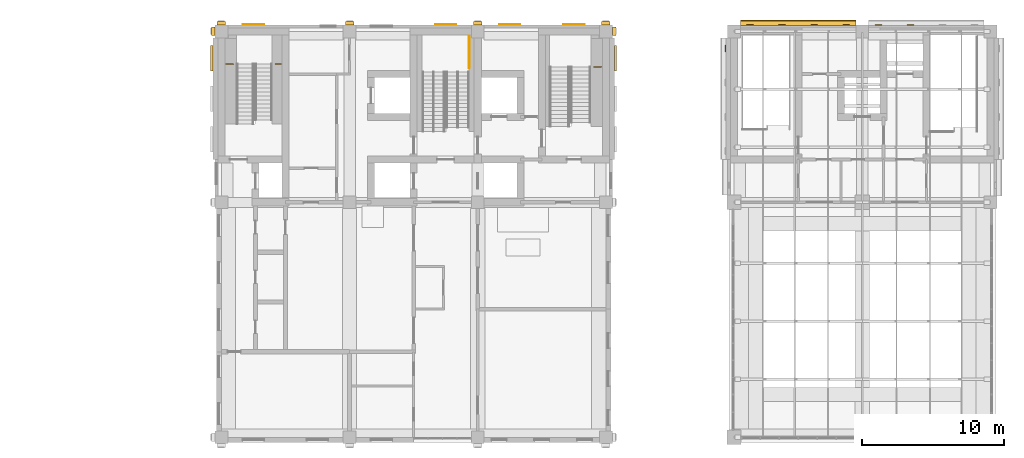
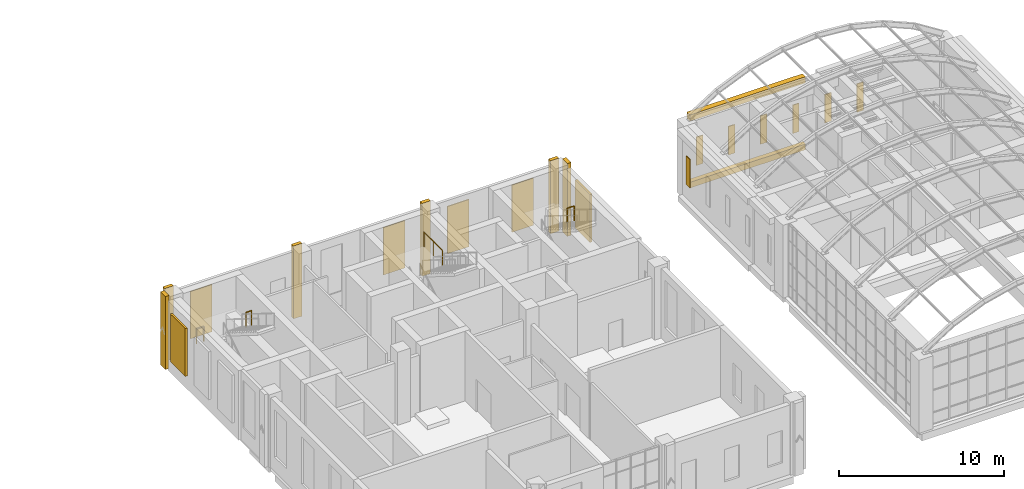
# One storey, part 36 of 39: 21 coverings, 4 railings.
"""IFC4 building model written with IfcOpenShell, lengths in metres."""

from ifc_helpers import new_model, si_unit, direction, frame, origin, origin_2d, place, context, subcontext, project, spatial, rectangle, circle, extrude, material, layer, layer_set, type_object, element, save


model = new_model("IFC4")

# Units and contexts
model_context = context("Model", 3, precision=1e-05, world=origin(), true_north=direction((0.0, 1.0)))
body_context = subcontext(model_context, "Body", "Model", "MODEL_VIEW")
ifc_project = project(units=[si_unit("LENGTHUNIT", "METRE"), si_unit("AREAUNIT", "SQUARE_METRE"), si_unit("VOLUMEUNIT", "CUBIC_METRE"), si_unit("PLANEANGLEUNIT", "RADIAN"), si_unit("MASSUNIT", "GRAM", prefix="KILO")], contexts=[model_context])

# Site, building, storey
site_placement = place(None, origin())
site = spatial("IfcSite", under=ifc_project, at=site_placement, CompositionType="ELEMENT")
building_placement = place(site_placement, origin())
building = spatial("IfcBuilding", under=site, at=building_placement, Name="Aurelan Courthouse", CompositionType="ELEMENT")
storey_placement = place(building_placement, frame((0.0, 0.0, 28.199951171875)))
storey = spatial("IfcBuildingStorey", under=building, at=storey_placement, Name="L05", CompositionType="ELEMENT", Elevation=28.199951171875)

# Coverings
ifc_material_1 = material(Name="Bronze sheet cladding")
ifc_layer_1 = layer(ifc_material_1, 0.06005859375)
ifc_layer_set_1 = layer_set([ifc_layer_1], Name="Bronze sheet cladding")
covering_type_1 = type_object("IfcCoveringType", Name="Courtroom Block blind bay 1500 x 3500", PredefinedType="CLADDING", material=ifc_layer_set_1)
for number, where, z_axis, x_axis, name in (
    (1, (38.25, 66.47998046875, 1.050048828125), (0.0, 0.0, 1.0), (1.0, 0.0, 0.0), "Blind bay BB-V2-L05-001"),
    (2, (51.75, 66.47998046875, 1.050048828125), (0.0, 0.0, 1.0), (1.0, 0.0, 0.0), "Blind bay BB-V2-L05-002"),
    (3, (56.25, 66.47998046875, 1.050048828125), (0.0, 0.0, 1.0), (1.0, 0.0, 0.0), "Blind bay BB-V2-L05-003"),
    (4, (60.75, 66.47998046875, 1.050048828125), (0.0, 0.0, 1.0), (1.0, 0.0, 0.0), "Blind bay BB-V2-L05-004"),
):
    element("IfcCovering", number, at=place(storey_placement, frame(where, z_axis=z_axis, x_axis=x_axis)), inside=storey, type_object=covering_type_1, Name=name, PredefinedType="CLADDING", context=body_context, shape_type="SweptSolid", body=[
        extrude(rectangle(XDim=1.5, YDim=0.06005859375, at=origin_2d()), origin(), (0.0, 0.0, 1.0), 3.5),
    ])
ifc_material_2 = material(Name="Limestone cladding", Category="masonry")
covering_type_2 = type_object("IfcCoveringType", Name="Courtroom Block pilaster fin 600 x 250", PredefinedType="CLADDING", material=ifc_material_2)
for number, where, z_axis, x_axis, name in (
    (5, (36.0, 66.574951171875, 0.0), (0.0, 0.0, 1.0), (1.0, 0.0, 0.0), "Pilaster fin FN-V2-044"),
    (6, (45.0, 66.574951171875, 0.0), (0.0, 0.0, 1.0), (1.0, 0.0, 0.0), "Pilaster fin FN-V2-045"),
    (7, (54.0, 66.574951171875, 0.0), (0.0, 0.0, 1.0), (1.0, 0.0, 0.0), "Pilaster fin FN-V2-046"),
    (8, (63.0, 66.574951171875, 0.0), (0.0, 0.0, 1.0), (1.0, 0.0, 0.0), "Pilaster fin FN-V2-047"),
):
    element("IfcCovering", number, at=place(storey_placement, frame(where, z_axis=z_axis, x_axis=x_axis)), inside=storey, type_object=covering_type_2, Name=name, PredefinedType="CLADDING", context=body_context, shape_type="SweptSolid", body=[
        extrude(rectangle(XDim=0.60009765625, YDim=0.25, at=origin_2d()), origin(), (0.0, 0.0, 1.0), 5.39990234375),
    ])
for number, where, z_axis, x_axis, name in (
    (9, (63.574951171875, 66.0, 0.0), (0.0, 0.0, 1.0), (1.0, 0.0, 0.0), "Pilaster fin FN-V2-050"),
    (10, (35.425048828125, 66.0, 0.0), (0.0, 0.0, 1.0), (1.0, 0.0, 0.0), "Pilaster fin FN-V2-053"),
):
    element("IfcCovering", number, at=place(storey_placement, frame(where, z_axis=z_axis, x_axis=x_axis)), inside=storey, type_object=covering_type_2, Name=name, PredefinedType="CLADDING", context=body_context, shape_type="SweptSolid", body=[
        extrude(rectangle(XDim=0.25, YDim=0.60009765625, at=origin_2d()), origin(), (0.0, 0.0, 1.0), 5.39990234375),
    ])
ifc_layer_2 = layer(ifc_material_1, 0.06005859375)
ifc_layer_set_2 = layer_set([ifc_layer_2], Name="Bronze sheet cladding")
covering_type_3 = type_object("IfcCoveringType", Name="Law Library blind bay 450 x 2100", PredefinedType="CLADDING", material=ifc_layer_set_2)
for number, where, z_axis, x_axis, name in (
    (11, (73.125, 66.449951171875, 1.5), (0.0, 0.0, 1.0), (1.0, 0.0, 0.0), "Blind bay BB-V3-L05-001"),
    (12, (75.375, 66.449951171875, 1.5), (0.0, 0.0, 1.0), (1.0, 0.0, 0.0), "Blind bay BB-V3-L05-002"),
    (13, (77.625, 66.449951171875, 1.5), (0.0, 0.0, 1.0), (1.0, 0.0, 0.0), "Blind bay BB-V3-L05-003"),
    (14, (79.875, 66.449951171875, 1.5), (0.0, 0.0, 1.0), (1.0, 0.0, 0.0), "Blind bay BB-V3-L05-004"),
    (15, (82.125, 66.449951171875, 1.5), (0.0, 0.0, 1.0), (1.0, 0.0, 0.0), "Blind bay BB-V3-L05-005"),
    (16, (84.375, 66.449951171875, 1.5), (0.0, 0.0, 1.0), (1.0, 0.0, 0.0), "Blind bay BB-V3-L05-006"),
):
    element("IfcCovering", number, at=place(storey_placement, frame(where, z_axis=z_axis, x_axis=x_axis)), inside=storey, type_object=covering_type_3, Name=name, PredefinedType="CLADDING", context=body_context, shape_type="SweptSolid", body=[
        extrude(rectangle(XDim=0.449951171875, YDim=0.06005859375, at=origin_2d()), origin(), (0.0, 0.0, 1.0), 2.10009765625),
    ])
covering_1_placement = place(storey_placement, frame((71.39990234375, 64.800048828125, 1.5), z_axis=(0.0, 0.0, 1.0), x_axis=(1.0, 0.0, 0.0)))
element("IfcCovering", 17, at=covering_1_placement, inside=storey, type_object=covering_type_3, Name="Blind bay BB-V3-L05-016", PredefinedType="CLADDING", context=body_context, shape_type="SweptSolid", body=[
    extrude(rectangle(XDim=0.06005859375, YDim=0.449951171875, at=origin_2d()), origin(), (0.0, 0.0, 1.0), 2.10009765625),
])
covering_type_4 = type_object("IfcCoveringType", Name="Law Library cornice 450 x 380", PredefinedType="CLADDING", material=ifc_material_2)
covering_2_placement = place(storey_placement, frame((76.5, 66.610107421875, 4.9501953125), z_axis=(0.0, 0.0, 1.0), x_axis=(1.0, 0.0, 0.0)))
element("IfcCovering", 18, at=covering_2_placement, inside=storey, type_object=covering_type_4, Name="Cornice CRN-V3-005", PredefinedType="CLADDING", context=body_context, shape_type="SweptSolid", body=[
    extrude(rectangle(XDim=8.10009765625, YDim=0.3798828125, at=origin_2d()), origin(), (0.0, 0.0, 1.0), 0.449951171875),
])
covering_type_5 = type_object("IfcCoveringType", Name="Law Library string course 420 x 320", PredefinedType="CLADDING", material=ifc_material_2)
covering_3_placement = place(storey_placement, frame((76.5, 66.580078125, 0.0), z_axis=(0.0, 0.0, 1.0), x_axis=(1.0, 0.0, 0.0)))
element("IfcCovering", 19, at=covering_3_placement, inside=storey, type_object=covering_type_5, Name="String course SC-V3-015", PredefinedType="CLADDING", context=body_context, shape_type="SweptSolid", body=[
    extrude(rectangle(XDim=8.10009765625, YDim=0.320068359375, at=origin_2d()), origin(), (0.0, 0.0, 1.0), 0.419921875),
])
ifc_layer_3 = layer(ifc_material_1, 0.14990234375)
ifc_layer_set_3 = layer_set([ifc_layer_3], Name="Bronze sheet cladding")
covering_type_6 = type_object("IfcCoveringType", Name="Relief panel 1800 x 3550 x 150", PredefinedType="CLADDING", material=ifc_layer_set_3)
for number, where, z_axis, x_axis, name in (
    (20, (35.324951171875, 64.125, 1.0), (0.0, 0.0, 1.0), (1.0, 0.0, 0.0), "Relief panel RP-V2-032"),
    (21, (63.675048828125, 64.125, 1.0), (0.0, 0.0, 1.0), (1.0, 0.0, 0.0), "Relief panel RP-V2-035"),
):
    element("IfcCovering", number, at=place(storey_placement, frame(where, z_axis=z_axis, x_axis=x_axis)), inside=storey, type_object=covering_type_6, Name=name, PredefinedType="CLADDING", context=body_context, shape_type="SweptSolid", body=[
        extrude(rectangle(XDim=0.14990234375, YDim=1.800048828125, at=origin_2d()), origin(), (0.0, 0.0, 1.0), 3.550048828125),
    ])

# Railings
ifc_material_3 = material(Name="Steel S355", Category="steel")
railing_type = type_object("IfcRailingType", Name="Stair guard 1100", PredefinedType="GUARDRAIL", material=ifc_material_3)
railing_1_placement = place(storey_placement, frame((36.830078125, 63.7099609375, 2.787109375)))
element("IfcRailing", 22, at=railing_1_placement, inside=storey, type_object=railing_type, Name="Guard CS-2-L05-GL1", PredefinedType="GUARDRAIL", context=body_context, shape_type="SweptSolid", body=[
    extrude(circle(Radius=0.02392578125, at=origin_2d()), frame((0.0, 0.0, 1.076171875), z_axis=(-1.0, 0.0, 0.0), x_axis=(0.0, -1.0, 0.0)), (0.0, 0.0, 1.0), 0.5),
    extrude(circle(Radius=0.02099609375, at=origin_2d()), origin(), (0.0, 0.0, 1.0), 1.052001953125),
    extrude(circle(Radius=0.02099609375, at=origin_2d()), frame((-0.5, 0.0, 0.0)), (0.0, 0.0, 1.0), 1.052001953125),
])
railing_2_placement = place(storey_placement, frame((40.169921875, 63.7099609375, 2.787109375)))
element("IfcRailing", 23, at=railing_2_placement, inside=storey, type_object=railing_type, Name="Guard CS-2-L05-GL2", PredefinedType="GUARDRAIL", context=body_context, shape_type="SweptSolid", body=[
    extrude(circle(Radius=0.02392578125, at=origin_2d()), frame((0.0, 0.0, 1.076171875), z_axis=(-1.0, 0.0, 0.0), x_axis=(0.0, -1.0, 0.0)), (0.0, 0.0, 1.0), 0.3798828125),
    extrude(circle(Radius=0.02099609375, at=origin_2d()), origin(), (0.0, 0.0, 1.0), 1.052001953125),
    extrude(circle(Radius=0.02099609375, at=origin_2d()), frame((-0.3798828125, 0.0, 0.0)), (0.0, 0.0, 1.0), 1.052001953125),
])
railing_3_placement = place(storey_placement, frame((53.39990234375, 65.669921875, 2.787109375)))
element("IfcRailing", 24, at=railing_3_placement, inside=storey, type_object=railing_type, Name="Guard ST-2A-L05-GL1", PredefinedType="GUARDRAIL", context=body_context, shape_type="SweptSolid", body=[
    extrude(circle(Radius=0.02392578125, at=origin_2d()), frame((0.0, 0.0, 1.076171875), z_axis=(0.0, -1.0, 0.0), x_axis=(1.0, 0.0, 0.0)), (0.0, 0.0, 1.0), 2.234619140625),
    extrude(circle(Radius=0.02099609375, at=origin_2d()), origin(), (0.0, 0.0, 1.0), 1.052001953125),
    extrude(circle(Radius=0.02099609375, at=origin_2d()), frame((0.0, -1.1171875, 0.0)), (0.0, 0.0, 1.0), 1.052001953125),
    extrude(circle(Radius=0.02099609375, at=origin_2d()), frame((0.0, -2.234619140625, 0.0)), (0.0, 0.0, 1.0), 1.052001953125),
])
railing_4_placement = place(storey_placement, frame((62.669921875, 63.510009765625, 2.787109375)))
element("IfcRailing", 25, at=railing_4_placement, inside=storey, type_object=railing_type, Name="Guard ST-2E-L05-GL1", PredefinedType="GUARDRAIL", context=body_context, shape_type="SweptSolid", body=[
    extrude(circle(Radius=0.02392578125, at=origin_2d()), frame((0.0, 0.0, 1.076171875), z_axis=(-1.0, 0.0, 0.0), x_axis=(0.0, -1.0, 0.0)), (0.0, 0.0, 1.0), 0.5),
    extrude(circle(Radius=0.02099609375, at=origin_2d()), origin(), (0.0, 0.0, 1.0), 1.052001953125),
    extrude(circle(Radius=0.02099609375, at=origin_2d()), frame((-0.5, 0.0, 0.0)), (0.0, 0.0, 1.0), 1.052001953125),
])

save(model, "model.ifc")
